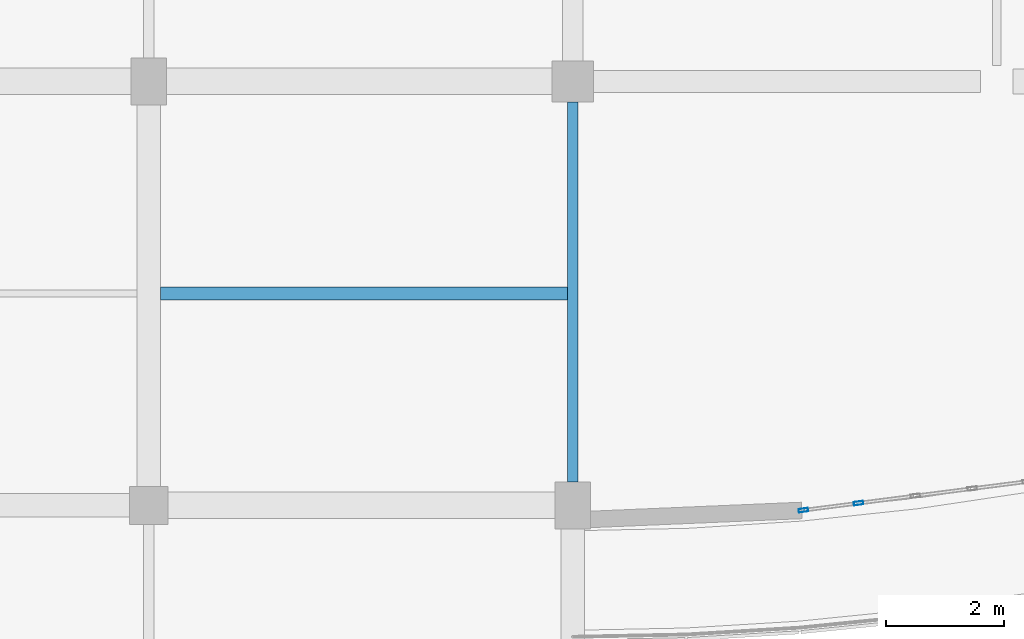
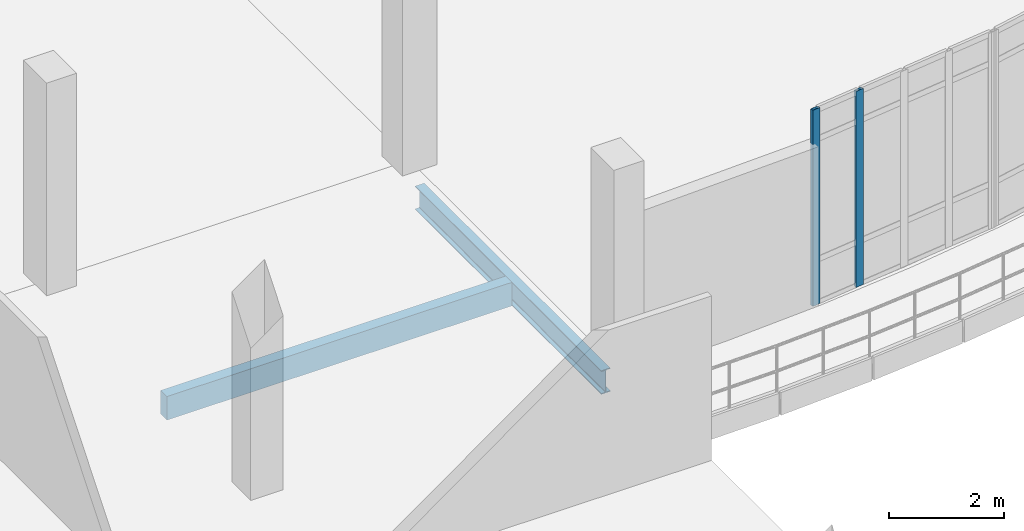
# One storey, part 31 of 116: 2 beams, 2 members, 1 element without a shape of its own.
"""IFC4 building model written with IfcOpenShell, lengths in metres."""

from ifc_helpers import new_model, si_unit, direction, frame, origin, origin_2d, place, context, subcontext, project, spatial, rectangle, hollow_rectangle, i_section, extrude, material, material_profile, profile_set, type_object, element, aggregate, save


model = new_model("IFC4")

# Units and contexts
model_context = context("Model", 3, precision=1e-05, world=origin(), true_north=direction((0.0, 1.0)))
body_context = subcontext(model_context, "Body", "Model", "MODEL_VIEW")
ifc_project = project(units=[si_unit("LENGTHUNIT", "METRE"), si_unit("AREAUNIT", "SQUARE_METRE"), si_unit("VOLUMEUNIT", "CUBIC_METRE"), si_unit("PLANEANGLEUNIT", "RADIAN"), si_unit("MASSUNIT", "GRAM", prefix="KILO")], contexts=[model_context])

# Site, building, storey
site_placement = place(None, origin())
site = spatial("IfcSite", under=ifc_project, at=site_placement, CompositionType="ELEMENT")
building_placement = place(site_placement, origin())
building = spatial("IfcBuilding", under=site, at=building_placement, Name="Kalluvel Institute of Natural Sciences", CompositionType="ELEMENT")
storey_placement = place(building_placement, frame((0.0, 0.0, 14.39990234375)))
storey = spatial("IfcBuildingStorey", under=building, at=storey_placement, Name="L03", CompositionType="ELEMENT", Elevation=14.39990234375)

# Beam
ifc_material_1 = material(Name="Steel E350 Grade 350", Category="steel")
ifc_material_profile_1 = material_profile(ifc_material_1, i_section(OverallWidth=0.179931640625, OverallDepth=0.5, WebThickness=0.01025390625, FlangeThickness=0.01708984375, FilletRadius=0.01708984375, at=origin_2d()), Name="ISMB 500")
ifc_profile_set_1 = profile_set([ifc_material_profile_1], Name="Steel E350 Grade 350")
beam_type_1 = type_object("IfcBeamType", Name="BM-ISMB500", PredefinedType="BEAM", material=ifc_profile_set_1)
beam_1_placement = place(storey_placement, frame((35.60009765625, 57.60009765625, -0.5498046875), z_axis=(0.0, 1.0, 0.0), x_axis=(-1.0, 0.0, 0.0)))
element("IfcBeam", 1, at=beam_1_placement, inside=storey, type_object=beam_type_1, Name="L03 girder GIR-L03-NS-X356-Y572", PredefinedType="BEAM", context=body_context, shape_type="SweptSolid", body=[
    extrude(i_section(OverallWidth=0.179931640625, OverallDepth=0.5, WebThickness=0.01025390625, FlangeThickness=0.01708984375, FilletRadius=0.01708984375, at=origin_2d()), origin(), (0.0, 0.0, 1.0), 6.449951171875),
])

# Curtain wall, members
ifc_material_2 = material(Name="Aluminium AW-6063 T6", Category="aluminium")
curtain_wall_type = type_object("IfcCurtainWallType", Name="CW-ATR-ARC", PredefinedType="USERDEFINED", material=ifc_material_2)
curtain_wall_placement = place(storey_placement, origin())
curtain_wall = element("IfcCurtainWall", 2, at=curtain_wall_placement, inside=storey, type_object=curtain_wall_type, Name="L03 Gothic lancet curtain wall CWA-L03-X395-Y571", ObjectType="UNITISED LANCET FACADE", PredefinedType="USERDEFINED")
ifc_material_profile_2 = material_profile(ifc_material_2, hollow_rectangle(XDim=0.06005859375, YDim=0.159912109375, WallThickness=0.00390625, at=origin_2d()), Name="CWM 60x160")
ifc_profile_set_2 = profile_set([ifc_material_profile_2], Name="Aluminium AW-6063 T6")
member_type = type_object("IfcMemberType", Name="CWM-60x160", PredefinedType="MULLION", material=ifc_profile_set_2)
member_1_placement = place(storey_placement, frame((39.51806640625, 57.118896484375, 0.0), z_axis=(0.0, 0.0, 1.0), x_axis=(-0.127010045141, 0.991901430805, 0.0)))
member_1 = element("IfcMember", 3, at=member_1_placement, type_object=member_type, Name="CW-05 mullion 1", PredefinedType="MULLION", context=body_context, shape_type="SweptSolid", body=[
    extrude(hollow_rectangle(XDim=0.06005859375, YDim=0.159912109375, WallThickness=0.00390625, at=origin_2d()), origin(), (0.0, 0.0, 1.0), 4.150146484375),
])
member_2_placement = place(storey_placement, frame((40.453369140625, 57.23876953125, 0.0), z_axis=(0.0, 0.0, 1.0), x_axis=(-0.127010045141, 0.991901430805, 0.0)))
member_2 = element("IfcMember", 4, at=member_2_placement, type_object=member_type, Name="CW-05 mullion 2", PredefinedType="MULLION", context=body_context, shape_type="SweptSolid", body=[
    extrude(hollow_rectangle(XDim=0.06005859375, YDim=0.159912109375, WallThickness=0.00390625, at=origin_2d()), origin(), (0.0, 0.0, 1.0), 4.150146484375),
])
aggregate(curtain_wall, [member_1, member_2])

# Beam
ifc_material_3 = material(Name="Concrete M40", Category="concrete")
ifc_material_profile_3 = material_profile(ifc_material_3, rectangle(XDim=0.219970703125, YDim=0.5, at=origin_2d()), Name="WAF 220x500")
ifc_profile_set_3 = profile_set([ifc_material_profile_3], Name="Concrete M40")
beam_type_2 = type_object("IfcBeamType", Name="WJ-220x500", PredefinedType="JOIST", material=ifc_profile_set_3)
beam_2_placement = place(storey_placement, frame((28.60009765625, 60.800048828125, -0.5498046875), z_axis=(1.0, 0.0, 0.0), x_axis=(0.0, 1.0, 0.0)))
element("IfcBeam", 5, at=beam_2_placement, inside=storey, type_object=beam_type_2, Name="L03 floor rib RIB-L03-0697", PredefinedType="JOIST", context=body_context, shape_type="SweptSolid", body=[
    extrude(rectangle(XDim=0.219970703125, YDim=0.5, at=origin_2d()), origin(), (0.0, 0.0, 1.0), 6.909912109375),
])

save(model, "model.ifc")
